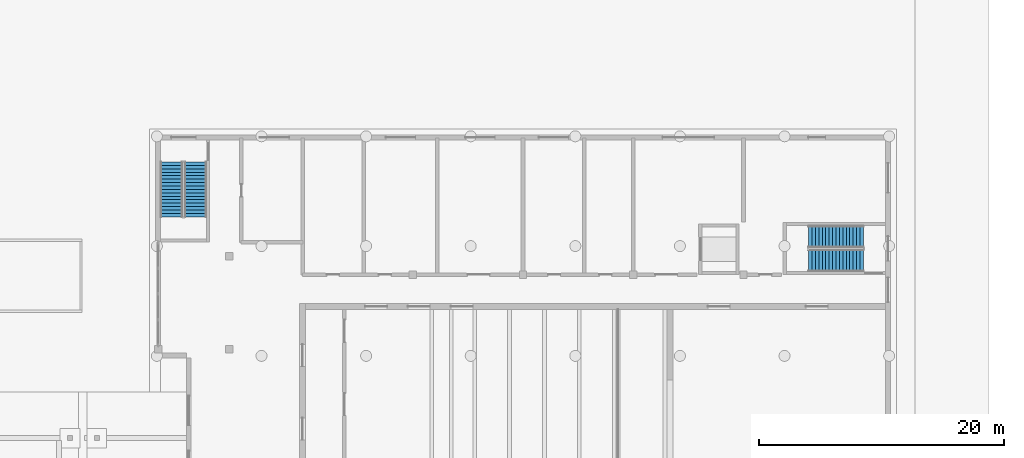
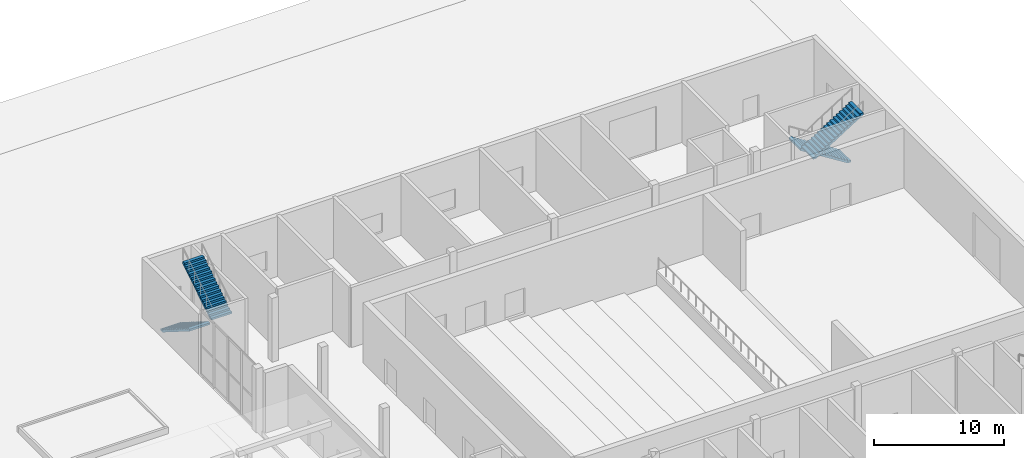
# One storey, part 34 of 47: 4 stair flights, 2 elements without a shape of their own.
"""IFC4 building model written with IfcOpenShell, lengths in metres."""

from ifc_helpers import new_model, si_unit, direction, frame, origin, place, context, subcontext, project, spatial, polyline, outline, extrude, material, type_object, element, aggregate, save


model = new_model("IFC4")

# Units and contexts
model_context = context("Model", 3, precision=1e-05, world=origin(), true_north=direction((0.0, 1.0)))
body_context = subcontext(model_context, "Body", "Model", "MODEL_VIEW")
ifc_project = project(units=[si_unit("LENGTHUNIT", "METRE"), si_unit("AREAUNIT", "SQUARE_METRE"), si_unit("VOLUMEUNIT", "CUBIC_METRE"), si_unit("PLANEANGLEUNIT", "RADIAN"), si_unit("MASSUNIT", "GRAM", prefix="KILO")], contexts=[model_context])

# Site, building, storey
site_placement = place(None, origin())
site = spatial("IfcSite", under=ifc_project, at=site_placement, CompositionType="ELEMENT")
building_placement = place(site_placement, origin())
building = spatial("IfcBuilding", under=site, at=building_placement, Name="Hunhe Ridgeline Campus", CompositionType="ELEMENT")
storey_placement = place(building_placement, origin())
storey = spatial("IfcBuildingStorey", under=building, at=storey_placement, Name="L00", CompositionType="ELEMENT", Elevation=0.0)

# Stair, stair flights
ifc_material = material(Name="Concrete C40", Category="concrete")
stair_type = type_object("IfcStairType", Name="Hall exit stair 1800", PredefinedType="HALF_TURN_STAIR", material=ifc_material)
stair_1_placement = place(storey_placement, origin())
stair_1 = element("IfcStair", 1, at=stair_1_placement, inside=storey, type_object=stair_type, Name="L00 hall stair HS2", PredefinedType="HALF_TURN_STAIR")
stair_flight_type = type_object("IfcStairFlightType", Name="Hall stair flight 1800", PredefinedType="STRAIGHT", material=ifc_material)
stair_flight_1_placement = place(storey_placement, frame((151.300048828125, 74.300048828125, 0.0), z_axis=(0.0, 0.0, 1.0), x_axis=(0.0, -1.0, 0.0)))
stair_flight_1 = element("IfcStairFlight", 2, at=stair_flight_1_placement, type_object=stair_flight_type, Name="HS2 flight 1", NumberOfRisers=17, NumberOfTreads=16, PredefinedType="STRAIGHT", RiserHeight=0.176470588, TreadLength=0.28, context=body_context, shape_type="SweptSolid", body=[
    extrude(outline(polyline([(0.0, 0.0), (0.0, 0.176513671875), (0.280029296875, 0.176513671875), (0.280029296875, 0.35302734375), (0.56005859375, 0.35302734375), (0.56005859375, 0.529296875), (0.840087890625, 0.529296875), (0.840087890625, 0.705810546875), (1.1201171875, 0.705810546875), (1.1201171875, 0.88232421875), (1.39990234375, 0.88232421875), (1.39990234375, 1.058837890625), (1.679931640625, 1.058837890625), (1.679931640625, 1.2353515625), (1.9599609375, 1.2353515625), (1.9599609375, 1.411865234375), (2.239990234375, 1.411865234375), (2.239990234375, 1.588134765625), (2.52001953125, 1.588134765625), (2.52001953125, 1.7646484375), (2.800048828125, 1.7646484375), (2.800048828125, 1.941162109375), (3.080078125, 1.941162109375), (3.080078125, 2.11767578125), (3.360107421875, 2.11767578125), (3.360107421875, 2.294189453125), (3.639892578125, 2.294189453125), (3.639892578125, 2.470703125), (3.919921875, 2.470703125), (3.919921875, 2.64697265625), (4.199951171875, 2.64697265625), (4.199951171875, 2.823486328125), (4.47998046875, 2.823486328125), (4.47998046875, 3.0), (4.47998046875, 2.646240234375), (0.28125, 0.0), (0.0, 0.0)])), frame((0.0, 0.89990234375, 0.0), z_axis=(0.0, -1.0, 0.0), x_axis=(1.0, 0.0, 0.0)), (0.0, 0.0, 1.0), 1.800048828125),
])
stair_flight_2_placement = place(storey_placement, frame((153.25, 69.820068359375, 3.0), z_axis=(0.0, 0.0, 1.0), x_axis=(0.0, 1.0, 0.0)))
stair_flight_2 = element("IfcStairFlight", 3, at=stair_flight_2_placement, type_object=stair_flight_type, Name="HS2 flight 2", NumberOfRisers=17, NumberOfTreads=16, PredefinedType="STRAIGHT", RiserHeight=0.176470588, TreadLength=0.28, context=body_context, shape_type="SweptSolid", body=[
    extrude(outline(polyline([(0.0, 0.0), (0.0, 0.176513671875), (0.280029296875, 0.176513671875), (0.280029296875, 0.35302734375), (0.56005859375, 0.35302734375), (0.56005859375, 0.529296875), (0.840087890625, 0.529296875), (0.840087890625, 0.705810546875), (1.1201171875, 0.705810546875), (1.1201171875, 0.88232421875), (1.39990234375, 0.88232421875), (1.39990234375, 1.058837890625), (1.679931640625, 1.058837890625), (1.679931640625, 1.2353515625), (1.9599609375, 1.2353515625), (1.9599609375, 1.411865234375), (2.239990234375, 1.411865234375), (2.239990234375, 1.588134765625), (2.52001953125, 1.588134765625), (2.52001953125, 1.7646484375), (2.800048828125, 1.7646484375), (2.800048828125, 1.941162109375), (3.080078125, 1.941162109375), (3.080078125, 2.11767578125), (3.360107421875, 2.11767578125), (3.360107421875, 2.294189453125), (3.639892578125, 2.294189453125), (3.639892578125, 2.470703125), (3.919921875, 2.470703125), (3.919921875, 2.64697265625), (4.199951171875, 2.64697265625), (4.199951171875, 2.823486328125), (4.47998046875, 2.823486328125), (4.47998046875, 3.0), (4.47998046875, 2.646240234375), (0.28125, 0.0), (0.0, 0.0)])), frame((0.0, 0.89990234375, 0.0), z_axis=(0.0, -1.0, 0.0), x_axis=(1.0, 0.0, 0.0)), (0.0, 0.0, 1.0), 1.800048828125),
])
aggregate(stair_1, [stair_flight_1, stair_flight_2])

stair_2_placement = place(storey_placement, origin())
stair_2 = element("IfcStair", 4, at=stair_2_placement, inside=storey, type_object=stair_type, Name="L00 hall stair HS4", PredefinedType="HALF_TURN_STAIR")
stair_flight_3_placement = place(storey_placement, frame((207.800048828125, 68.199951171875, 0.0), z_axis=(0.0, 0.0, 1.0), x_axis=(-1.0, 0.0, 0.0)))
stair_flight_3 = element("IfcStairFlight", 5, at=stair_flight_3_placement, type_object=stair_flight_type, Name="HS4 flight 1", NumberOfRisers=17, NumberOfTreads=16, PredefinedType="STRAIGHT", RiserHeight=0.176470588, TreadLength=0.28, context=body_context, shape_type="SweptSolid", body=[
    extrude(outline(polyline([(0.0, 0.0), (0.0, 0.176513671875), (0.280029296875, 0.176513671875), (0.280029296875, 0.35302734375), (0.56005859375, 0.35302734375), (0.56005859375, 0.529296875), (0.840087890625, 0.529296875), (0.840087890625, 0.705810546875), (1.1201171875, 0.705810546875), (1.1201171875, 0.88232421875), (1.39990234375, 0.88232421875), (1.39990234375, 1.058837890625), (1.679931640625, 1.058837890625), (1.679931640625, 1.2353515625), (1.9599609375, 1.2353515625), (1.9599609375, 1.411865234375), (2.239990234375, 1.411865234375), (2.239990234375, 1.588134765625), (2.52001953125, 1.588134765625), (2.52001953125, 1.7646484375), (2.800048828125, 1.7646484375), (2.800048828125, 1.941162109375), (3.080078125, 1.941162109375), (3.080078125, 2.11767578125), (3.360107421875, 2.11767578125), (3.360107421875, 2.294189453125), (3.639892578125, 2.294189453125), (3.639892578125, 2.470703125), (3.919921875, 2.470703125), (3.919921875, 2.64697265625), (4.199951171875, 2.64697265625), (4.199951171875, 2.823486328125), (4.47998046875, 2.823486328125), (4.47998046875, 3.0), (4.47998046875, 2.646240234375), (0.28125, 0.0), (0.0, 0.0)])), frame((0.0, 0.89990234375, 0.0), z_axis=(0.0, -1.0, 0.0), x_axis=(1.0, 0.0, 0.0)), (0.0, 0.0, 1.0), 1.800048828125),
])
stair_flight_4_placement = place(storey_placement, frame((203.320068359375, 66.25, 3.0), z_axis=(0.0, 0.0, 1.0), x_axis=(1.0, 0.0, 0.0)))
stair_flight_4 = element("IfcStairFlight", 6, at=stair_flight_4_placement, type_object=stair_flight_type, Name="HS4 flight 2", NumberOfRisers=17, NumberOfTreads=16, PredefinedType="STRAIGHT", RiserHeight=0.176470588, TreadLength=0.28, context=body_context, shape_type="SweptSolid", body=[
    extrude(outline(polyline([(0.0, 0.0), (0.0, 0.176513671875), (0.280029296875, 0.176513671875), (0.280029296875, 0.35302734375), (0.56005859375, 0.35302734375), (0.56005859375, 0.529296875), (0.840087890625, 0.529296875), (0.840087890625, 0.705810546875), (1.1201171875, 0.705810546875), (1.1201171875, 0.88232421875), (1.39990234375, 0.88232421875), (1.39990234375, 1.058837890625), (1.679931640625, 1.058837890625), (1.679931640625, 1.2353515625), (1.9599609375, 1.2353515625), (1.9599609375, 1.411865234375), (2.239990234375, 1.411865234375), (2.239990234375, 1.588134765625), (2.52001953125, 1.588134765625), (2.52001953125, 1.7646484375), (2.800048828125, 1.7646484375), (2.800048828125, 1.941162109375), (3.080078125, 1.941162109375), (3.080078125, 2.11767578125), (3.360107421875, 2.11767578125), (3.360107421875, 2.294189453125), (3.639892578125, 2.294189453125), (3.639892578125, 2.470703125), (3.919921875, 2.470703125), (3.919921875, 2.64697265625), (4.199951171875, 2.64697265625), (4.199951171875, 2.823486328125), (4.47998046875, 2.823486328125), (4.47998046875, 3.0), (4.47998046875, 2.646240234375), (0.28125, 0.0), (0.0, 0.0)])), frame((0.0, 0.89990234375, 0.0), z_axis=(0.0, -1.0, 0.0), x_axis=(1.0, 0.0, 0.0)), (0.0, 0.0, 1.0), 1.800048828125),
])
aggregate(stair_2, [stair_flight_3, stair_flight_4])

save(model, "model.ifc")
